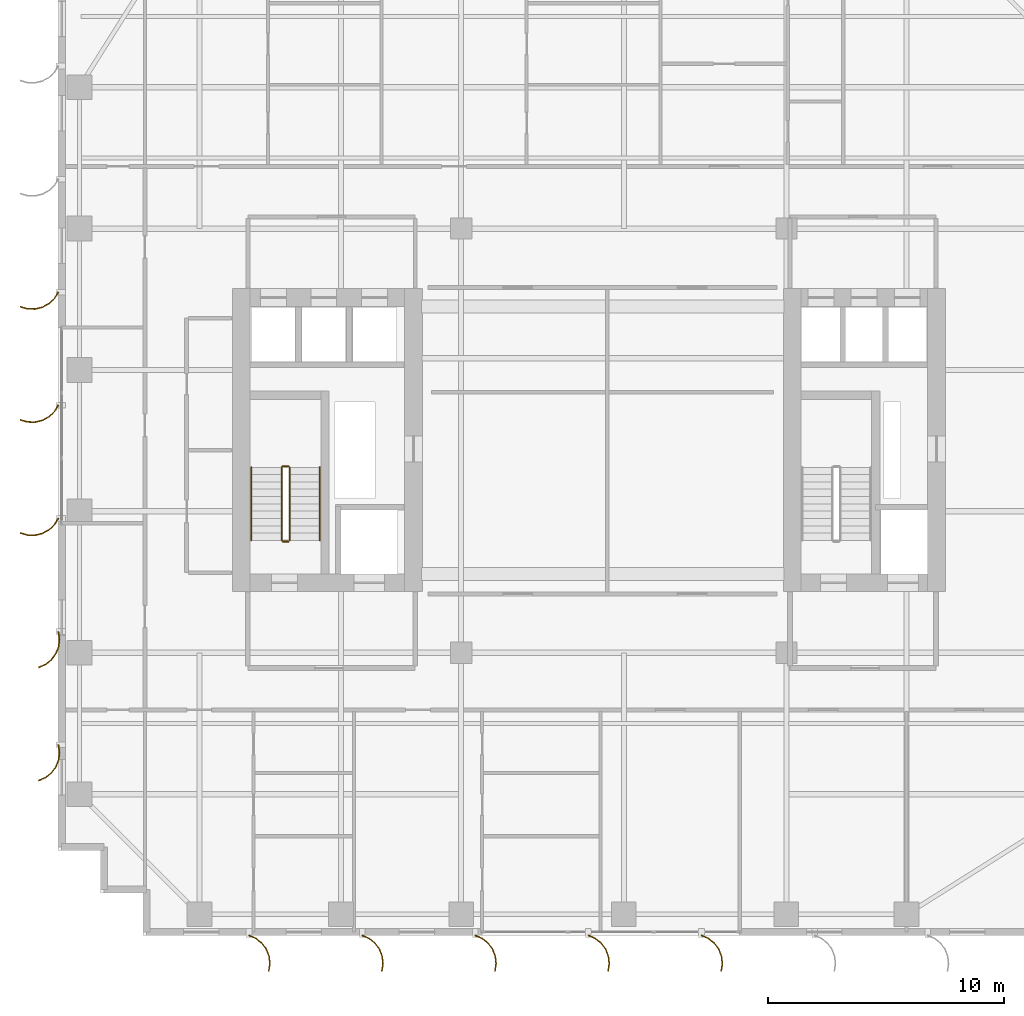
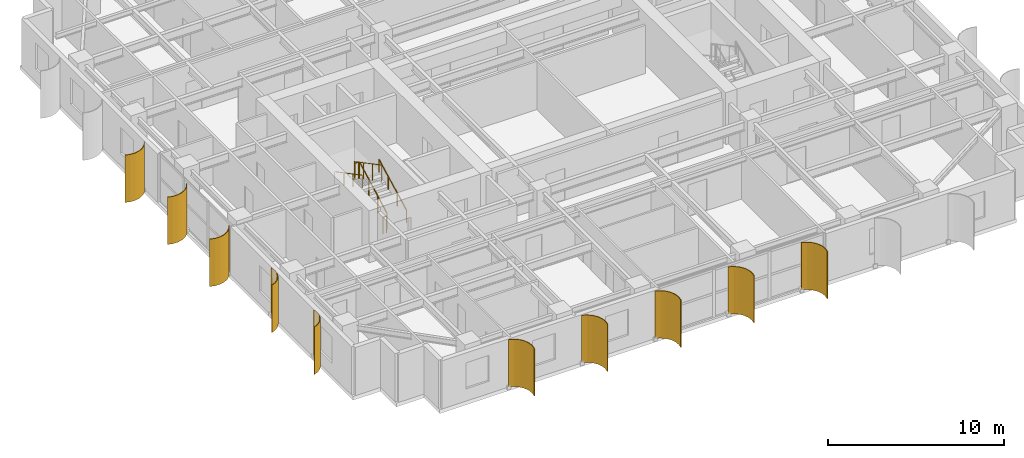
# One storey, part 19 of 21: 10 shading devices, 6 railings.
"""IFC4 building model written with IfcOpenShell, lengths in metres."""

import ifcopenshell
import ifcopenshell.guid

model = None  # the IFC model being written
_history = None  # IfcOwnerHistory: only IFC2X3 demands one
_inside = {}  # id of a spatial element -> (the spatial element, [elements in it])
_under = {}  # id of a project, library or spatial element -> (it, [spatial elements below it])
_declared = {}  # id of a project -> (the project, [libraries it declares])
_typed = {}  # id of a type object -> (the type object, [elements of that type])
_made_of = {}  # id of a material, layer set ... -> (it, [elements and type objects made of it])


def new_model(schema):
    """Start an empty IFC model of exactly this schema.

    Asked for "IFC4X3", IfcOpenShell would pick the latest addendum, in which some entities
    have other attributes; the version numbers below select the first issue.
    IFC2X3 requires an IfcOwnerHistory on every rooted entity: one is made here for all.
    """
    global model, _history
    if schema == "IFC4X3":
        model = ifcopenshell.file(schema_version=(4, 3, 0, 0))
    else:
        model = ifcopenshell.file(schema=schema)
    _inside.clear()
    _under.clear()
    _declared.clear()
    _typed.clear()
    _made_of.clear()
    _history = None
    if model.schema == "IFC2X3":
        org = make("IfcOrganization", Name="unknown")
        user = make(
            "IfcPersonAndOrganization",
            ThePerson=make("IfcPerson", FamilyName="unknown"),
            TheOrganization=org,
        )
        app = make(
            "IfcApplication",
            ApplicationDeveloper=org,
            Version="unknown",
            ApplicationFullName="unknown",
            ApplicationIdentifier="unknown",
        )
        _history = make(
            "IfcOwnerHistory",
            OwningUser=user,
            OwningApplication=app,
            ChangeAction="ADDED",
            CreationDate=0,
        )
    return model


def make(cls, **values):
    """One entity of the class cls with the attributes given. An attribute that is None is left unset."""
    return model.create_entity(
        cls, **{name: value for name, value in values.items() if value is not None}
    )


def rooted(cls, **values):
    """An entity with a GlobalId (a new one), such as an element, a storey or a relation."""
    return make(cls, GlobalId=ifcopenshell.guid.new(), OwnerHistory=_history, **values)


def si_unit(unit_type, name, prefix=None):
    """IfcSIUnit, for example si_unit("LENGTHUNIT", "METRE", prefix="MILLI")."""
    return make("IfcSIUnit", UnitType=unit_type, Prefix=prefix, Name=name)


def assignment(units):
    """IfcUnitAssignment: the units of a project."""
    return None if units is None else make("IfcUnitAssignment", Units=units)


def point(xyz):
    """IfcCartesianPoint."""
    return None if xyz is None else make("IfcCartesianPoint", Coordinates=xyz)


def direction(xyz):
    """IfcDirection."""
    return None if xyz is None else make("IfcDirection", DirectionRatios=xyz)


def frame(location, z_axis=None, x_axis=None):
    """IfcAxis2Placement3D, a coordinate frame: its origin and axes. An axis left out is left unset."""
    return make(
        "IfcAxis2Placement3D",
        Location=point(location),
        Axis=direction(z_axis),
        RefDirection=direction(x_axis),
    )


def frame_2d(location, x_axis=None):
    """IfcAxis2Placement2D, a coordinate frame in the plane: its origin and x axis."""
    return make(
        "IfcAxis2Placement2D", Location=point(location), RefDirection=direction(x_axis)
    )


def origin():
    """The frame at (0, 0, 0) with its axes left unset."""
    return frame((0.0, 0.0, 0.0))


def origin_2d():
    """The frame at (0, 0) in the plane with its x axis left unset."""
    return frame_2d((0.0, 0.0))


def place(relative_to, where):
    """IfcLocalPlacement: puts the frame where relative to a parent placement (None: the world)."""
    return make(
        "IfcLocalPlacement", PlacementRelTo=relative_to, RelativePlacement=where
    )


def context(
    kind, dimensions, precision=None, world=None, true_north=None, identifier=None
):
    """IfcGeometricRepresentationContext, for example the 3D "Model" context."""
    return make(
        "IfcGeometricRepresentationContext",
        ContextIdentifier=identifier,
        ContextType=kind,
        CoordinateSpaceDimension=dimensions,
        Precision=precision,
        WorldCoordinateSystem=world,
        TrueNorth=true_north,
    )


def subcontext(parent, identifier, kind, view, scale=None):
    """IfcGeometricRepresentationSubContext, for example "Body" below "Model"."""
    return make(
        "IfcGeometricRepresentationSubContext",
        ContextIdentifier=identifier,
        ContextType=kind,
        ParentContext=parent,
        TargetScale=scale,
        TargetView=view,
    )


def project(units=None, contexts=None):
    """IfcProject with its units and contexts."""
    return rooted(
        "IfcProject",
        Name="project",
        RepresentationContexts=contexts,
        UnitsInContext=assignment(units),
    )


def spatial(cls, under=None, at=None, **own):
    """A site, building, storey or space (cls), placed at a placement, below another one or the project."""
    s = rooted(cls, ObjectPlacement=at, **own)
    if under is not None:
        _under.setdefault(under.id(), (under, []))[1].append(s)
    return s


def polyline(points):
    """IfcPolyline through the points."""
    return make("IfcPolyline", Points=[point(p) for p in points])


def profile(cls, at=None, kind="AREA", **sizes):
    """A parametric profile (cls). Its sizes go by their IFC names, for example OverallWidth=200.0."""
    return make(cls, ProfileType=kind, Position=at, **sizes)


def circle(**sizes):
    """IfcCircleProfileDef."""
    return profile("IfcCircleProfileDef", **sizes)


def outline(outer, holes=None, kind="AREA"):
    """IfcArbitraryClosedProfileDef: a profile drawn as a closed curve; with holes, ...WithVoids."""
    if holes is None:
        return make("IfcArbitraryClosedProfileDef", ProfileType=kind, OuterCurve=outer)
    return make(
        "IfcArbitraryProfileDefWithVoids",
        ProfileType=kind,
        OuterCurve=outer,
        InnerCurves=holes,
    )


def extrude(swept, where, along, depth):
    """IfcExtrudedAreaSolid: the profile swept, set in the frame where, extruded along a direction by depth."""
    return make(
        "IfcExtrudedAreaSolid",
        SweptArea=swept,
        Position=where,
        ExtrudedDirection=direction(along),
        Depth=depth,
    )


def shape(context_of_items, identifier, shape_type, items):
    """IfcShapeRepresentation: the items that make up one representation, for example the "Body"."""
    return make(
        "IfcShapeRepresentation",
        ContextOfItems=context_of_items,
        RepresentationIdentifier=identifier,
        RepresentationType=shape_type,
        Items=items,
    )


def source(mapping_origin, context_of_items, identifier, shape_type, items):
    """IfcRepresentationMap: a shape defined once, which mapped items show again and again."""
    return make(
        "IfcRepresentationMap",
        MappingOrigin=mapping_origin,
        MappedRepresentation=shape(context_of_items, identifier, shape_type, items),
    )


def transform(
    local_origin,
    x_axis=None,
    y_axis=None,
    z_axis=None,
    scale=None,
    scale2=None,
    scale3=None,
    uniform=True,
):
    """IfcCartesianTransformationOperator3D, or its non-uniform kind. x_axis, y_axis, z_axis: its Axis1, 2, 3."""
    if uniform:
        return make(
            "IfcCartesianTransformationOperator3D",
            Axis1=direction(x_axis),
            Axis2=direction(y_axis),
            LocalOrigin=point(local_origin),
            Scale=scale,
            Axis3=direction(z_axis),
        )
    return make(
        "IfcCartesianTransformationOperator3DnonUniform",
        Axis1=direction(x_axis),
        Axis2=direction(y_axis),
        LocalOrigin=point(local_origin),
        Scale=scale,
        Axis3=direction(z_axis),
        Scale2=scale2,
        Scale3=scale3,
    )


def mapped(mapping_source, mapping_target):
    """IfcMappedItem: shows the shape of a source again, moved by a transform."""
    return make(
        "IfcMappedItem", MappingSource=mapping_source, MappingTarget=mapping_target
    )


def material(Name=None, Category=None):
    """IfcMaterial."""
    return make("IfcMaterial", Name=Name, Category=Category)


def layer(
    of_material, thickness, ventilated=None, Name=None, Category=None, Priority=None
):
    """IfcMaterialLayer: one layer of a wall or slab, of a material (None: an air gap)."""
    return make(
        "IfcMaterialLayer",
        Material=of_material,
        LayerThickness=thickness,
        IsVentilated=ventilated,
        Name=Name,
        Category=Category,
        Priority=Priority,
    )


def layer_set(layers, Name=None):
    """IfcMaterialLayerSet."""
    return make("IfcMaterialLayerSet", MaterialLayers=layers, LayerSetName=Name)


def made_of(thing, what):
    """Note that an element or type object is made of a material, layer set ...; save() writes the relation."""
    if what is not None:
        _made_of.setdefault(what.id(), (what, []))[1].append(thing)
    return thing


def type_object(cls, material=None, **own):
    """A type object (cls), such as IfcWallType, which elements share."""
    return made_of(rooted(cls, **own), material)


def element(
    cls,
    number,
    at=None,
    inside=None,
    cuts=None,
    type_object=None,
    material=None,
    context=None,
    identifier="Body",
    shape_type=None,
    held_by="IfcProductDefinitionShape",
    body=None,
    shapes=None,
    **own,
):
    """One element of the class cls, such as IfcWall. Its Tag is "e" and its number.

    at: its placement. inside: the storey or other place that contains it. cuts: it is an
    opening in that element (IfcRelVoidsElement). A single representation is given by context,
    identifier, shape_type and body (its items); several are given by shapes. held_by: the class
    of the entity that holds the representations. save() writes the other relations.
    """
    e = rooted(cls, Tag="e%d" % number, ObjectPlacement=at, **own)
    if body is not None:
        shapes = [shape(context, identifier, shape_type, body)]
    if shapes is not None:
        e.Representation = make(held_by, Representations=shapes)
    if inside is not None:
        _inside.setdefault(inside.id(), (inside, []))[1].append(e)
    if cuts is not None:
        rooted(
            "IfcRelVoidsElement", RelatingBuildingElement=cuts, RelatedOpeningElement=e
        )
    if type_object is not None:
        _typed.setdefault(type_object.id(), (type_object, []))[1].append(e)
    return made_of(e, material)


def aggregate(whole, parts):
    """IfcRelAggregates: a whole, such as a stair, and the parts it consists of."""
    return rooted("IfcRelAggregates", RelatingObject=whole, RelatedObjects=parts)


def save(model, path):
    """Write the relations noted so far, then the file.

    IfcRelAggregates (storeys below a building ...), IfcRelContainedInSpatialStructure (elements
    in a storey), IfcRelDefinesByType, IfcRelAssociatesMaterial and IfcRelDeclares: one each for
    every whole, place, type object, material and project.
    """
    for whole, parts in _under.values():
        aggregate(whole, parts)
    for where, things in _inside.values():
        rooted(
            "IfcRelContainedInSpatialStructure",
            RelatedElements=things,
            RelatingStructure=where,
        )
    for kind, things in _typed.values():
        rooted("IfcRelDefinesByType", RelatedObjects=things, RelatingType=kind)
    for what, things in _made_of.values():
        rooted("IfcRelAssociatesMaterial", RelatedObjects=things, RelatingMaterial=what)
    for by, libraries in _declared.values():
        rooted("IfcRelDeclares", RelatingContext=by, RelatedDefinitions=libraries)
    model.write(path)


model = new_model("IFC4")

# Units and contexts
model_context = context("Model", 3, precision=1e-05, world=origin(), true_north=direction((0.0, 1.0)))
body_context = subcontext(model_context, "Body", "Model", "MODEL_VIEW")
ifc_project = project(units=[si_unit("LENGTHUNIT", "METRE"), si_unit("AREAUNIT", "SQUARE_METRE"), si_unit("VOLUMEUNIT", "CUBIC_METRE"), si_unit("PLANEANGLEUNIT", "RADIAN"), si_unit("MASSUNIT", "GRAM", prefix="KILO")], contexts=[model_context])

# Site, building, storey
site_placement = place(None, origin())
site = spatial("IfcSite", under=ifc_project, at=site_placement, CompositionType="ELEMENT")
building_placement = place(site_placement, origin())
building = spatial("IfcBuilding", under=site, at=building_placement, Name="Khoralis Quay Care Tower", CompositionType="ELEMENT")
storey_placement = place(building_placement, frame((0.0, 0.0, 112.5)))
storey = spatial("IfcBuildingStorey", under=building, at=storey_placement, Name="L29", CompositionType="ELEMENT", Elevation=112.5)

# Railings
ifc_material_1 = material(Name="Brushed stainless steel", Category="steel")
railing_type_1 = type_object("IfcRailingType", Name="RL-GUARD-1150", PredefinedType="GUARDRAIL", material=ifc_material_1)
railing_1_placement = place(storey_placement, frame((9.820068359375, 16.77001953125, 0.16357421875)))
element("IfcRailing", 1, at=railing_1_placement, inside=storey, type_object=railing_type_1, Name="L29 ST-T1 stair guard 1", PredefinedType="GUARDRAIL", context=body_context, shape_type="SweptSolid", body=[
    extrude(circle(Radius=0.02392578125, at=origin_2d()), frame((0.0, 0.0, 1.1259765625), z_axis=(0.0, 0.884348015382, 0.466828220752), x_axis=(-1.0, 0.0, 0.0)), (0.0, 0.0, 1.0), 3.505615234375),
    extrude(circle(Radius=0.02099609375, at=origin_2d()), origin(), (0.0, 0.0, 1.0), 1.101806640625),
    extrude(circle(Radius=0.02099609375, at=origin_2d()), frame((0.0, 1.033447265625, 0.54541015625)), (0.0, 0.0, 1.0), 1.101806640625),
    extrude(circle(Radius=0.02099609375, at=origin_2d()), frame((0.0, 2.066650390625, 1.091064453125)), (0.0, 0.0, 1.0), 1.101806640625),
    extrude(circle(Radius=0.02099609375, at=origin_2d()), frame((0.0, 3.10009765625, 1.636474609375)), (0.0, 0.0, 1.0), 1.101806640625),
])
railing_2_placement = place(storey_placement, frame((9.77001953125, 19.919921875, 1.800048828125)))
element("IfcRailing", 2, at=railing_2_placement, inside=storey, type_object=railing_type_1, Name="L29 ST-T1 stair guard 2", PredefinedType="GUARDRAIL", context=body_context, shape_type="SweptSolid", body=[
    extrude(circle(Radius=0.02392578125, at=origin_2d()), frame((0.0, 0.0, 1.1259765625), z_axis=(-1.0, 0.0, 0.0), x_axis=(0.0, -1.0, 0.0)), (0.0, 0.0, 1.0), 0.239990234375),
    extrude(circle(Radius=0.02099609375, at=origin_2d()), origin(), (0.0, 0.0, 1.0), 1.101806640625),
    extrude(circle(Radius=0.02099609375, at=origin_2d()), frame((-0.239990234375, 0.0, 0.0)), (0.0, 0.0, 1.0), 1.101806640625),
])
railing_3_placement = place(storey_placement, frame((9.47998046875, 19.8701171875, 1.963623046875)))
element("IfcRailing", 3, at=railing_3_placement, inside=storey, type_object=railing_type_1, Name="L29 ST-T1 stair guard 3", PredefinedType="GUARDRAIL", context=body_context, shape_type="SweptSolid", body=[
    extrude(circle(Radius=0.02392578125, at=origin_2d()), frame((0.0, 0.0, 1.1259765625), z_axis=(0.0, -0.884348015382, 0.466828220752), x_axis=(1.0, 0.0, 0.0)), (0.0, 0.0, 1.0), 3.505615234375),
    extrude(circle(Radius=0.02099609375, at=origin_2d()), origin(), (0.0, 0.0, 1.0), 1.101806640625),
    extrude(circle(Radius=0.02099609375, at=origin_2d()), frame((0.0, -1.033447265625, 0.54541015625)), (0.0, 0.0, 1.0), 1.101806640625),
    extrude(circle(Radius=0.02099609375, at=origin_2d()), frame((0.0, -2.066650390625, 1.091064453125)), (0.0, 0.0, 1.0), 1.101806640625),
    extrude(circle(Radius=0.02099609375, at=origin_2d()), frame((0.0, -3.10009765625, 1.636474609375)), (0.0, 0.0, 1.0), 1.101806640625),
])
railing_4_placement = place(storey_placement, frame((9.77001953125, 16.719970703125, 0.0)))
element("IfcRailing", 4, at=railing_4_placement, inside=storey, type_object=railing_type_1, Name="L29 ST-T1 stair guard 4", PredefinedType="GUARDRAIL", context=body_context, shape_type="SweptSolid", body=[
    extrude(circle(Radius=0.02392578125, at=origin_2d()), frame((0.0, 0.0, 1.1259765625), z_axis=(-1.0, 0.0, 0.0), x_axis=(0.0, -1.0, 0.0)), (0.0, 0.0, 1.0), 0.239990234375),
    extrude(circle(Radius=0.02099609375, at=origin_2d()), origin(), (0.0, 0.0, 1.0), 1.101806640625),
    extrude(circle(Radius=0.02099609375, at=origin_2d()), frame((-0.239990234375, 0.0, 0.0)), (0.0, 0.0, 1.0), 1.101806640625),
])
railing_type_2 = type_object("IfcRailingType", Name="RL-HAND-900", PredefinedType="HANDRAIL", material=ifc_material_1)
railing_5_placement = place(storey_placement, frame((11.10009765625, 16.77001953125, 0.16357421875)))
element("IfcRailing", 5, at=railing_5_placement, inside=storey, type_object=railing_type_2, Name="L29 ST-T1 stair handrail 1", PredefinedType="HANDRAIL", context=body_context, shape_type="SweptSolid", body=[
    extrude(circle(Radius=0.02392578125, at=origin_2d()), frame((0.0, 0.0, 0.8759765625), z_axis=(0.0, 0.884348015382, 0.466828220752), x_axis=(-1.0, 0.0, 0.0)), (0.0, 0.0, 1.0), 3.505615234375),
    extrude(circle(Radius=0.02099609375, at=origin_2d()), origin(), (0.0, 0.0, 1.0), 0.851806640625),
    extrude(circle(Radius=0.02099609375, at=origin_2d()), frame((0.0, 1.033447265625, 0.54541015625)), (0.0, 0.0, 1.0), 0.851806640625),
    extrude(circle(Radius=0.02099609375, at=origin_2d()), frame((0.0, 2.066650390625, 1.091064453125)), (0.0, 0.0, 1.0), 0.851806640625),
    extrude(circle(Radius=0.02099609375, at=origin_2d()), frame((0.0, 3.10009765625, 1.636474609375)), (0.0, 0.0, 1.0), 0.851806640625),
])
railing_6_placement = place(storey_placement, frame((8.199951171875, 19.8701171875, 1.963623046875)))
element("IfcRailing", 6, at=railing_6_placement, inside=storey, type_object=railing_type_2, Name="L29 ST-T1 stair handrail 2", PredefinedType="HANDRAIL", context=body_context, shape_type="SweptSolid", body=[
    extrude(circle(Radius=0.02392578125, at=origin_2d()), frame((0.0, 0.0, 0.8759765625), z_axis=(0.0, -0.884348015382, 0.466828220752), x_axis=(1.0, 0.0, 0.0)), (0.0, 0.0, 1.0), 3.505615234375),
    extrude(circle(Radius=0.02099609375, at=origin_2d()), origin(), (0.0, 0.0, 1.0), 0.851806640625),
    extrude(circle(Radius=0.02099609375, at=origin_2d()), frame((0.0, -1.033447265625, 0.54541015625)), (0.0, 0.0, 1.0), 0.851806640625),
    extrude(circle(Radius=0.02099609375, at=origin_2d()), frame((0.0, -2.066650390625, 1.091064453125)), (0.0, 0.0, 1.0), 0.851806640625),
    extrude(circle(Radius=0.02099609375, at=origin_2d()), frame((0.0, -3.10009765625, 1.636474609375)), (0.0, 0.0, 1.0), 0.851806640625),
])

# Shading devices
ifc_material_2 = material(Name="Brushed pale anodised aluminium", Category="aluminium")
ifc_layer = layer(ifc_material_2, 0.044921875)
ifc_layer_set = layer_set([ifc_layer], Name="Brushed pale anodised aluminium")
shading_device_type = type_object("IfcShadingDeviceType", Name="SHD-FIN-1250", PredefinedType="USERDEFINED", material=ifc_layer_set)
shared_shape_1 = source(origin(), body_context, "Body", "SweptSolid", [
    extrude(outline(polyline([(0.0, 0.0), (0.17041015625, 0.2783203125), (0.4072265625, 0.5029296875), (0.694091796875, 0.658447265625), (1.01123046875, 0.734619140625), (1.33740234375, 0.72607421875), (1.650390625, 0.633544921875), (1.632080078125, 0.59228515625), (1.330322265625, 0.681640625), (1.015869140625, 0.68994140625), (0.710205078125, 0.616455078125), (0.43359375, 0.466552734375), (0.20556640625, 0.25), (0.041015625, -0.018310546875), (0.0, 0.0)])), origin(), (0.0, 0.0, 1.0), 3.280029296875),
])
for number, where, z_axis, x_axis, name in (
    (7, (0.030029296875, 27.300048828125, 0.02001953125), (0.0, 0.0, 1.0), (-1.0, 0.0, 0.0), "L29 Curved Solar Fin P1E15-03"),
    (8, (0.030029296875, 22.5, 0.02001953125), (0.0, 0.0, 1.0), (-1.0, 0.0, 0.0), "L29 Curved Solar Fin P1E15-04"),
    (9, (0.030029296875, 17.699951171875, 0.02001953125), (0.0, 0.0, 1.0), (-1.0, 0.0, 0.0), "L29 Curved Solar Fin P1E15-05"),
):
    element("IfcShadingDevice", number, at=place(storey_placement, frame(where, z_axis=z_axis, x_axis=x_axis)), inside=storey, type_object=shading_device_type, Name=name, ObjectType="FIN", PredefinedType="USERDEFINED", context=body_context, shape_type="MappedRepresentation", body=[
        mapped(shared_shape_1, transform((0.0, 0.0, 0.0), scale=1.0)),
    ])
shared_shape_2 = source(origin(), body_context, "Body", "SweptSolid", [
    extrude(outline(polyline([(0.0, 0.0), (-0.04833984375, 0.32275390625), (-0.01123046875, 0.64697265625), (0.1083984375, 0.950439453125), (0.302490234375, 1.212890625), (0.557861328125, 1.416015625), (0.85693359375, 1.546142578125), (0.869384765625, 1.5029296875), (0.5810546875, 1.37744140625), (0.334716796875, 1.181640625), (0.147705078125, 0.9287109375), (0.032470703125, 0.635986328125), (-0.003173828125, 0.323486328125), (0.043212890625, 0.012451171875), (0.0, 0.0)])), origin(), (0.0, 0.0, 1.0), 3.280029296875),
])
for number, where, z_axis, x_axis, name in (
    (10, (0.030029296875, 12.89990234375, 0.02001953125), (0.0, 0.0, 1.0), (-1.0, 0.0, 0.0), "L29 Curved Solar Fin P1E15-06"),
    (11, (0.030029296875, 8.10009765625, 0.02001953125), (0.0, 0.0, 1.0), (-1.0, 0.0, 0.0), "L29 Curved Solar Fin P1E15-07"),
):
    element("IfcShadingDevice", number, at=place(storey_placement, frame(where, z_axis=z_axis, x_axis=x_axis)), inside=storey, type_object=shading_device_type, Name=name, ObjectType="FIN", PredefinedType="USERDEFINED", context=body_context, shape_type="MappedRepresentation", body=[
        mapped(shared_shape_2, transform((0.0, 0.0, 0.0), scale=1.0)),
    ])
shared_shape_3 = source(origin(), body_context, "Body", "SweptSolid", [
    extrude(outline(polyline([(0.0, 0.0), (0.130126953125, 0.29931640625), (0.333251953125, 0.5546875), (0.595458984375, 0.748779296875), (0.899169921875, 0.868408203125), (1.223388671875, 0.9052734375), (1.546142578125, 0.85693359375), (1.53369140625, 0.813720703125), (1.22265625, 0.8603515625), (0.91015625, 0.82470703125), (0.617431640625, 0.70947265625), (0.364501953125, 0.522216796875), (0.168701171875, 0.276123046875), (0.043212890625, -0.012451171875), (0.0, 0.0)])), origin(), (0.0, 0.0, 1.0), 3.280029296875),
])
for number, where, z_axis, x_axis, name in (
    (12, (8.10009765625, 0.030029296875, 0.02001953125), (0.0, 0.0, 1.0), (0.0, -1.0, 0.0), "L29 Curved Solar Fin P1E0-01"),
    (13, (12.89990234375, 0.030029296875, 0.02001953125), (0.0, 0.0, 1.0), (0.0, -1.0, 0.0), "L29 Curved Solar Fin P1E0-02"),
    (14, (17.699951171875, 0.030029296875, 0.02001953125), (0.0, 0.0, 1.0), (0.0, -1.0, 0.0), "L29 Curved Solar Fin P1E0-03"),
    (15, (22.5, 0.030029296875, 0.02001953125), (0.0, 0.0, 1.0), (0.0, -1.0, 0.0), "L29 Curved Solar Fin P1E0-04"),
    (16, (27.300048828125, 0.030029296875, 0.02001953125), (0.0, 0.0, 1.0), (0.0, -1.0, 0.0), "L29 Curved Solar Fin P1E0-05"),
):
    element("IfcShadingDevice", number, at=place(storey_placement, frame(where, z_axis=z_axis, x_axis=x_axis)), inside=storey, type_object=shading_device_type, Name=name, ObjectType="FIN", PredefinedType="USERDEFINED", context=body_context, shape_type="MappedRepresentation", body=[
        mapped(shared_shape_3, transform((0.0, 0.0, 0.0), scale=1.0)),
    ])

save(model, "model.ifc")
